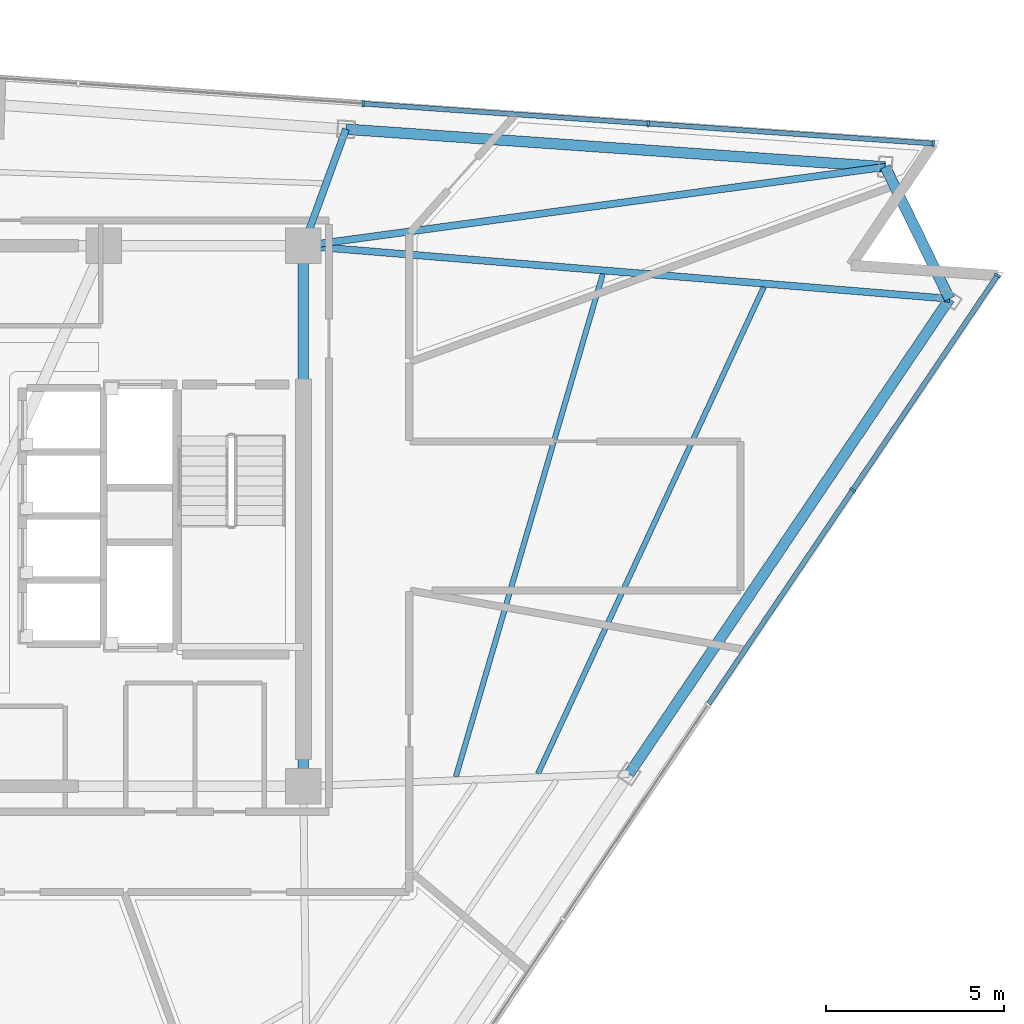
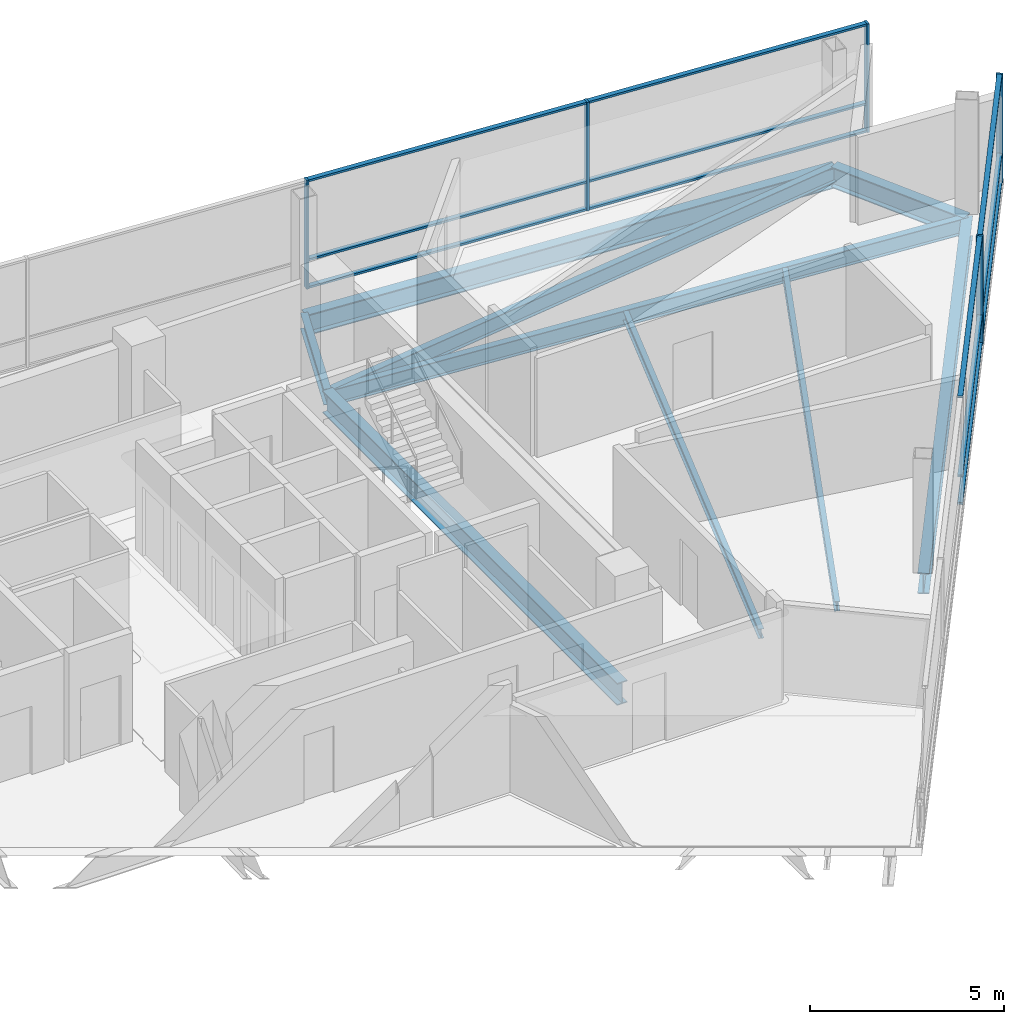
# One storey, part 7 of 14: 17 members, 9 beams, 2 elements without a shape of their own.
"""IFC4 building model written with IfcOpenShell, lengths in metres."""

from ifc_helpers import new_model, si_unit, direction, frame, origin, origin_2d, place, context, subcontext, project, spatial, rectangle, i_section, extrude, material, layer, layer_set, material_profile, profile_set, type_object, element, aggregate, save


model = new_model("IFC4")

# Units and contexts
model_context = context("Model", 3, precision=1e-05, world=origin(), true_north=direction((0.0, 1.0)))
body_context = subcontext(model_context, "Body", "Model", "MODEL_VIEW")
ifc_project = project(units=[si_unit("LENGTHUNIT", "METRE"), si_unit("AREAUNIT", "SQUARE_METRE"), si_unit("VOLUMEUNIT", "CUBIC_METRE"), si_unit("PLANEANGLEUNIT", "RADIAN"), si_unit("MASSUNIT", "GRAM", prefix="KILO")], contexts=[model_context])

# Site, building, storey
site_placement = place(None, origin())
site = spatial("IfcSite", under=ifc_project, at=site_placement, CompositionType="ELEMENT")
building_placement = place(site_placement, origin())
building = spatial("IfcBuilding", under=site, at=building_placement, Name="Tharavind Bronze Gate", CompositionType="ELEMENT")
storey_placement = place(building_placement, frame((0.0, 0.0, 237.85009765625)))
storey = spatial("IfcBuildingStorey", under=building, at=storey_placement, Name="L61", CompositionType="ELEMENT", Elevation=237.85009765625)

# Curtain wall, members
ifc_material_1 = material(Name="Anodised Bronze Aluminium", Category="aluminium")
ifc_layer = layer(ifc_material_1, 0.219970703125)
ifc_layer_set = layer_set([ifc_layer], Name="Anodised Bronze Aluminium")
curtain_wall_type = type_object("IfcCurtainWallType", Name="UNITISED CURTAIN WALL UPPER OFFICE", PredefinedType="USERDEFINED", material=ifc_layer_set)
curtain_wall_1_placement = place(storey_placement, origin())
curtain_wall_1 = element("IfcCurtainWall", 1, at=curtain_wall_1_placement, inside=storey, type_object=curtain_wall_type, Name="L61 unitised curtain wall upper office CW-L61-S2", ObjectType="UNITISED CURTAIN WALL", PredefinedType="USERDEFINED")
member_type_1 = type_object("IfcMemberType", Name="CURTAIN WALL BRONZE MULLION 65X180", PredefinedType="MULLION", material=ifc_material_1)
member_1_placement = place(storey_placement, frame((24.35791015625, 0.732177734375, 0.0), z_axis=(0.0, 0.0, 1.0), x_axis=(0.559192903471, 0.829037572555, 0.0)))
member_1 = element("IfcMember", 2, at=member_1_placement, type_object=member_type_1, Name="CW-L61-S2 mullion 7", PredefinedType="MULLION", context=body_context, shape_type="SweptSolid", body=[
    extrude(rectangle(XDim=0.06494140625, YDim=0.179931640625, at=origin_2d()), origin(), (0.0, 0.0, 1.0), 3.419921875),
])
member_2_placement = place(storey_placement, frame((28.430419921875, 6.77001953125, 0.0), z_axis=(0.0, 0.0, 1.0), x_axis=(0.559192903471, 0.829037572555, 0.0)))
member_2 = element("IfcMember", 3, at=member_2_placement, type_object=member_type_1, Name="CW-L61-S2 mullion 8", PredefinedType="MULLION", context=body_context, shape_type="SweptSolid", body=[
    extrude(rectangle(XDim=0.06494140625, YDim=0.179931640625, at=origin_2d()), origin(), (0.0, 0.0, 1.0), 3.419921875),
])

curtain_wall_2_placement = place(storey_placement, origin())
curtain_wall_2 = element("IfcCurtainWall", 4, at=curtain_wall_2_placement, inside=storey, type_object=curtain_wall_type, Name="L61 unitised curtain wall upper office CW-L61-S3", ObjectType="UNITISED CURTAIN WALL", PredefinedType="USERDEFINED")
member_3_placement = place(storey_placement, frame((26.620849609375, 10.480224609375, 0.0), z_axis=(0.0, 0.0, 1.0), x_axis=(-0.99756392851, 0.069758214822, 0.0)))
member_3 = element("IfcMember", 5, at=member_3_placement, type_object=member_type_1, Name="CW-L61-S3 mullion 1", PredefinedType="MULLION", context=body_context, shape_type="SweptSolid", body=[
    extrude(rectangle(XDim=0.06494140625, YDim=0.179931640625, at=origin_2d()), origin(), (0.0, 0.0, 1.0), 3.419921875),
])
member_4_placement = place(storey_placement, frame((18.602294921875, 11.041015625, 0.0), z_axis=(0.0, 0.0, 1.0), x_axis=(-0.99756392851, 0.069758214822, 0.0)))
member_4 = element("IfcMember", 6, at=member_4_placement, type_object=member_type_1, Name="CW-L61-S3 mullion 2", PredefinedType="MULLION", context=body_context, shape_type="SweptSolid", body=[
    extrude(rectangle(XDim=0.06494140625, YDim=0.179931640625, at=origin_2d()), origin(), (0.0, 0.0, 1.0), 3.419921875),
])
member_5_placement = place(storey_placement, frame((10.583984375, 11.6015625, 0.0), z_axis=(0.0, 0.0, 1.0), x_axis=(-0.99756392851, 0.069758214822, 0.0)))
member_5 = element("IfcMember", 7, at=member_5_placement, type_object=member_type_1, Name="CW-L61-S3 mullion 3", PredefinedType="MULLION", context=body_context, shape_type="SweptSolid", body=[
    extrude(rectangle(XDim=0.06494140625, YDim=0.179931640625, at=origin_2d()), origin(), (0.0, 0.0, 1.0), 3.419921875),
])

# Member
member_type_2 = type_object("IfcMemberType", Name="CURTAIN WALL BRONZE TRANSOM 65X140", PredefinedType="USERDEFINED", material=ifc_material_1)
member_6_placement = place(storey_placement, frame((22.321533203125, -2.28662109375, 0.0), z_axis=(0.0, 0.0, 1.0), x_axis=(0.559192903471, 0.829037572555, 0.0)))
member_6 = element("IfcMember", 8, at=member_6_placement, type_object=member_type_2, Name="CW-L61-S2 transom TB6", ObjectType="TRANSOM", PredefinedType="USERDEFINED", context=body_context, shape_type="SweptSolid", body=[
    extrude(rectangle(XDim=7.22998046875, YDim=0.139892578125, at=origin_2d()), origin(), (0.0, 0.0, 1.0), 0.06494140625),
])

member_7_placement = place(storey_placement, frame((22.321533203125, -2.28662109375, 0.867431640625), z_axis=(0.0, 0.0, 1.0), x_axis=(0.559192903471, 0.829037572555, 0.0)))
member_7 = element("IfcMember", 9, at=member_7_placement, type_object=member_type_2, Name="CW-L61-S2 transom TS6", ObjectType="TRANSOM", PredefinedType="USERDEFINED", context=body_context, shape_type="SweptSolid", body=[
    extrude(rectangle(XDim=7.22998046875, YDim=0.139892578125, at=origin_2d()), origin(), (0.0, 0.0, 1.0), 0.06494140625),
])

member_8_placement = place(storey_placement, frame((22.321533203125, -2.28662109375, 3.35498046875), z_axis=(0.0, 0.0, 1.0), x_axis=(0.559192903471, 0.829037572555, 0.0)))
member_8 = element("IfcMember", 10, at=member_8_placement, type_object=member_type_2, Name="CW-L61-S2 transom TT6", ObjectType="TRANSOM", PredefinedType="USERDEFINED", context=body_context, shape_type="SweptSolid", body=[
    extrude(rectangle(XDim=7.22998046875, YDim=0.139892578125, at=origin_2d()), origin(), (0.0, 0.0, 1.0), 0.06494140625),
])

member_9_placement = place(storey_placement, frame((26.39404296875, 3.751220703125, 0.0), z_axis=(0.0, 0.0, 1.0), x_axis=(0.559192903471, 0.829037572555, 0.0)))
member_9 = element("IfcMember", 11, at=member_9_placement, type_object=member_type_2, Name="CW-L61-S2 transom TB7", ObjectType="TRANSOM", PredefinedType="USERDEFINED", context=body_context, shape_type="SweptSolid", body=[
    extrude(rectangle(XDim=7.22998046875, YDim=0.139892578125, at=origin_2d()), origin(), (0.0, 0.0, 1.0), 0.06494140625),
])

member_10_placement = place(storey_placement, frame((26.39404296875, 3.751220703125, 0.867431640625), z_axis=(0.0, 0.0, 1.0), x_axis=(0.559192903471, 0.829037572555, 0.0)))
member_10 = element("IfcMember", 12, at=member_10_placement, type_object=member_type_2, Name="CW-L61-S2 transom TS7", ObjectType="TRANSOM", PredefinedType="USERDEFINED", context=body_context, shape_type="SweptSolid", body=[
    extrude(rectangle(XDim=7.22998046875, YDim=0.139892578125, at=origin_2d()), origin(), (0.0, 0.0, 1.0), 0.06494140625),
])

member_11_placement = place(storey_placement, frame((26.39404296875, 3.751220703125, 3.35498046875), z_axis=(0.0, 0.0, 1.0), x_axis=(0.559192903471, 0.829037572555, 0.0)))
member_11 = element("IfcMember", 13, at=member_11_placement, type_object=member_type_2, Name="CW-L61-S2 transom TT7", ObjectType="TRANSOM", PredefinedType="USERDEFINED", context=body_context, shape_type="SweptSolid", body=[
    extrude(rectangle(XDim=7.22998046875, YDim=0.139892578125, at=origin_2d()), origin(), (0.0, 0.0, 1.0), 0.06494140625),
])

aggregate(curtain_wall_1, [member_1, member_2, member_6, member_7, member_8, member_9, member_10, member_11])

member_12_placement = place(storey_placement, frame((22.611572265625, 10.760498046875, 0.0), z_axis=(0.0, 0.0, 1.0), x_axis=(-0.99756392851, 0.069758214822, 0.0)))
member_12 = element("IfcMember", 14, at=member_12_placement, type_object=member_type_2, Name="CW-L61-S3 transom TB1", ObjectType="TRANSOM", PredefinedType="USERDEFINED", context=body_context, shape_type="SweptSolid", body=[
    extrude(rectangle(XDim=7.985107421875, YDim=0.139892578125, at=origin_2d()), origin(), (0.0, 0.0, 1.0), 0.06494140625),
])

member_13_placement = place(storey_placement, frame((22.611572265625, 10.760498046875, 0.867431640625), z_axis=(0.0, 0.0, 1.0), x_axis=(-0.99756392851, 0.069758214822, 0.0)))
member_13 = element("IfcMember", 15, at=member_13_placement, type_object=member_type_2, Name="CW-L61-S3 transom TS1", ObjectType="TRANSOM", PredefinedType="USERDEFINED", context=body_context, shape_type="SweptSolid", body=[
    extrude(rectangle(XDim=7.985107421875, YDim=0.139892578125, at=origin_2d()), origin(), (0.0, 0.0, 1.0), 0.06494140625),
])

member_14_placement = place(storey_placement, frame((22.611572265625, 10.760498046875, 3.35498046875), z_axis=(0.0, 0.0, 1.0), x_axis=(-0.99756392851, 0.069758214822, 0.0)))
member_14 = element("IfcMember", 16, at=member_14_placement, type_object=member_type_2, Name="CW-L61-S3 transom TT1", ObjectType="TRANSOM", PredefinedType="USERDEFINED", context=body_context, shape_type="SweptSolid", body=[
    extrude(rectangle(XDim=7.985107421875, YDim=0.139892578125, at=origin_2d()), origin(), (0.0, 0.0, 1.0), 0.06494140625),
])

member_15_placement = place(storey_placement, frame((14.593017578125, 11.3212890625, 0.0), z_axis=(0.0, 0.0, 1.0), x_axis=(-0.99756392851, 0.069758214822, 0.0)))
member_15 = element("IfcMember", 17, at=member_15_placement, type_object=member_type_2, Name="CW-L61-S3 transom TB2", ObjectType="TRANSOM", PredefinedType="USERDEFINED", context=body_context, shape_type="SweptSolid", body=[
    extrude(rectangle(XDim=7.985107421875, YDim=0.139892578125, at=origin_2d()), origin(), (0.0, 0.0, 1.0), 0.06494140625),
])

member_16_placement = place(storey_placement, frame((14.593017578125, 11.3212890625, 0.867431640625), z_axis=(0.0, 0.0, 1.0), x_axis=(-0.99756392851, 0.069758214822, 0.0)))
member_16 = element("IfcMember", 18, at=member_16_placement, type_object=member_type_2, Name="CW-L61-S3 transom TS2", ObjectType="TRANSOM", PredefinedType="USERDEFINED", context=body_context, shape_type="SweptSolid", body=[
    extrude(rectangle(XDim=7.985107421875, YDim=0.139892578125, at=origin_2d()), origin(), (0.0, 0.0, 1.0), 0.06494140625),
])

member_17_placement = place(storey_placement, frame((14.593017578125, 11.3212890625, 3.35498046875), z_axis=(0.0, 0.0, 1.0), x_axis=(-0.99756392851, 0.069758214822, 0.0)))
member_17 = element("IfcMember", 19, at=member_17_placement, type_object=member_type_2, Name="CW-L61-S3 transom TT2", ObjectType="TRANSOM", PredefinedType="USERDEFINED", context=body_context, shape_type="SweptSolid", body=[
    extrude(rectangle(XDim=7.985107421875, YDim=0.139892578125, at=origin_2d()), origin(), (0.0, 0.0, 1.0), 0.06494140625),
])

aggregate(curtain_wall_2, [member_3, member_4, member_5, member_12, member_13, member_14, member_15, member_16, member_17])

# Beams
ifc_material_2 = material(Name="Steel S355", Category="steel")
ifc_material_profile_1 = material_profile(ifc_material_2, i_section(OverallWidth=0.300048828125, OverallDepth=0.64990234375, WebThickness=0.01611328125, FlangeThickness=0.031005859375, at=origin_2d()), Name="HE650B")
ifc_profile_set_1 = profile_set([ifc_material_profile_1], Name="Steel S355")
beam_type_1 = type_object("IfcBeamType", Name="PRIMARY GIRDER HE650B", PredefinedType="USERDEFINED", material=ifc_profile_set_1)
beam_1_placement = place(storey_placement, frame((18.06396484375, -7.2578125, -0.505126953125), z_axis=(0.559188128577, 0.829040793241, 0.0), x_axis=(-0.829040793241, 0.559188128577, 0.0)))
element("IfcBeam", 20, at=beam_1_placement, inside=storey, type_object=beam_type_1, Name="L61 primary girder he650b BM-L61-PRG07", ObjectType="GIRDER", PredefinedType="USERDEFINED", context=body_context, shape_type="SweptSolid", body=[
    extrude(i_section(OverallWidth=0.300048828125, OverallDepth=0.64990234375, WebThickness=0.01611328125, FlangeThickness=0.031005859375, at=origin_2d()), origin(), (0.0, 0.0, 1.0), 16.12744140625),
])
beam_2_placement = place(storey_placement, frame((27.082275390625, 6.112548828125, -0.505126953125), z_axis=(-0.438367699713, 0.898795727542, 0.0), x_axis=(-0.898795727542, -0.438367699713, 0.0)))
element("IfcBeam", 21, at=beam_2_placement, inside=storey, type_object=beam_type_1, Name="L61 primary girder he650b BM-L61-PRG08", ObjectType="GIRDER", PredefinedType="USERDEFINED", context=body_context, shape_type="SweptSolid", body=[
    extrude(i_section(OverallWidth=0.300048828125, OverallDepth=0.64990234375, WebThickness=0.01611328125, FlangeThickness=0.031005859375, at=origin_2d()), origin(), (0.0, 0.0, 1.0), 4.1279296875),
])
beam_3_placement = place(storey_placement, frame((25.272705078125, 9.82275390625, -0.505126953125), z_axis=(-0.997563917828, 0.069758367582, 0.0), x_axis=(-0.069758367582, -0.997563917828, 0.0)))
element("IfcBeam", 22, at=beam_3_placement, inside=storey, type_object=beam_type_1, Name="L61 primary girder he650b BM-L61-PRG09", ObjectType="GIRDER", PredefinedType="USERDEFINED", context=body_context, shape_type="SweptSolid", body=[
    extrude(i_section(OverallWidth=0.300048828125, OverallDepth=0.64990234375, WebThickness=0.01611328125, FlangeThickness=0.031005859375, at=origin_2d()), origin(), (0.0, 0.0, 1.0), 15.210205078125),
])
ifc_material_profile_2 = material_profile(ifc_material_2, i_section(OverallWidth=0.199951171875, OverallDepth=0.5, WebThickness=0.01025390625, FlangeThickness=0.01611328125, at=origin_2d()), Name="IPE500")
ifc_profile_set_2 = profile_set([ifc_material_profile_2], Name="Steel S355")
beam_type_2 = type_object("IfcBeamType", Name="PRIMARY GIRDER IPE500", PredefinedType="USERDEFINED", material=ifc_profile_set_2)
beam_4_placement = place(storey_placement, frame((27.082275390625, 6.112548828125, -0.43017578125), z_axis=(-0.996670048992, 0.081540256576, 0.0), x_axis=(-0.081540256576, -0.996670048992, 0.0)))
element("IfcBeam", 23, at=beam_4_placement, inside=storey, type_object=beam_type_2, Name="L61 primary girder ipe500 BM-L61-RAD08", ObjectType="GIRDER", PredefinedType="USERDEFINED", context=body_context, shape_type="SweptSolid", body=[
    extrude(i_section(OverallWidth=0.199951171875, OverallDepth=0.5, WebThickness=0.01025390625, FlangeThickness=0.01611328125, at=origin_2d()), origin(), (0.0, 0.0, 1.0), 18.2431640625),
])
beam_5_placement = place(storey_placement, frame((25.272705078125, 9.82275390625, -0.43017578125), z_axis=(-0.990911002209, -0.134519090469, 0.0), x_axis=(0.134519090469, -0.990911002209, 0.0)))
element("IfcBeam", 24, at=beam_5_placement, inside=storey, type_object=beam_type_2, Name="L61 primary girder ipe500 BM-L61-RAD09", ObjectType="GIRDER", PredefinedType="USERDEFINED", context=body_context, shape_type="SweptSolid", body=[
    extrude(i_section(OverallWidth=0.199951171875, OverallDepth=0.5, WebThickness=0.01025390625, FlangeThickness=0.01611328125, at=origin_2d()), origin(), (0.0, 0.0, 1.0), 16.52294921875),
])
beam_6_placement = place(storey_placement, frame((10.099609375, 10.8837890625, -0.43017578125), z_axis=(-0.343166887309, -0.939274447355, 0.0), x_axis=(0.939274447355, -0.343166887309, 0.0)))
element("IfcBeam", 25, at=beam_6_placement, inside=storey, type_object=beam_type_2, Name="L61 primary girder ipe500 BM-L61-RAD10", ObjectType="GIRDER", PredefinedType="USERDEFINED", context=body_context, shape_type="SweptSolid", body=[
    extrude(i_section(OverallWidth=0.199951171875, OverallDepth=0.5, WebThickness=0.01025390625, FlangeThickness=0.01611328125, at=origin_2d()), origin(), (0.0, 0.0, 1.0), 3.49609375),
])
ifc_material_profile_3 = material_profile(ifc_material_2, i_section(OverallWidth=0.300048828125, OverallDepth=0.699951171875, WebThickness=0.01708984375, FlangeThickness=0.031982421875, at=origin_2d()), Name="HE700B")
ifc_profile_set_3 = profile_set([ifc_material_profile_3], Name="Steel S355")
beam_type_3 = type_object("IfcBeamType", Name="RING GIRDER HE700B", PredefinedType="USERDEFINED", material=ifc_profile_set_3)
beam_7_placement = place(storey_placement, frame((8.89990234375, -7.60009765625, -0.530029296875), z_axis=(0.0, 1.0, 0.0), x_axis=(-1.0, 0.0, 0.0)))
element("IfcBeam", 26, at=beam_7_placement, inside=storey, type_object=beam_type_3, Name="L61 ring girder he700b BM-L61-CR3", ObjectType="GIRDER", PredefinedType="USERDEFINED", context=body_context, shape_type="SweptSolid", body=[
    extrude(i_section(OverallWidth=0.300048828125, OverallDepth=0.699951171875, WebThickness=0.01708984375, FlangeThickness=0.031982421875, at=origin_2d()), origin(), (0.0, 0.0, 1.0), 15.2001953125),
])
ifc_material_profile_4 = material_profile(ifc_material_2, i_section(OverallWidth=0.14990234375, OverallDepth=0.300048828125, WebThickness=0.007080078125, FlangeThickness=0.0107421875, at=origin_2d()), Name="IPE300")
ifc_profile_set_4 = profile_set([ifc_material_profile_4], Name="Steel S355")
beam_type_4 = type_object("IfcBeamType", Name="SECONDARY FLOOR JOIST IPE300", PredefinedType="JOIST", material=ifc_profile_set_4)
beam_8_placement = place(storey_placement, frame((13.19189453125, -7.335693359375, -0.330078125), z_axis=(0.280517905759, 0.959848792544, 0.0), x_axis=(-0.959848792544, 0.280517905759, 0.0)))
element("IfcBeam", 27, at=beam_8_placement, inside=storey, type_object=beam_type_4, Name="L61 secondary floor joist ipe300 BM-L61-JSTA07", PredefinedType="JOIST", context=body_context, shape_type="SweptSolid", body=[
    extrude(i_section(OverallWidth=0.14990234375, OverallDepth=0.300048828125, WebThickness=0.007080078125, FlangeThickness=0.0107421875, at=origin_2d()), origin(), (0.0, 0.0, 1.0), 14.733642578125),
])
beam_9_placement = place(storey_placement, frame((15.501220703125, -7.249755859375, -0.330078125), z_axis=(0.42102525581, 0.907048914872, 0.0), x_axis=(-0.907048914872, 0.42102525581, 0.0)))
element("IfcBeam", 28, at=beam_9_placement, inside=storey, type_object=beam_type_4, Name="L61 secondary floor joist ipe300 BM-L61-JSTB07", PredefinedType="JOIST", context=body_context, shape_type="SweptSolid", body=[
    extrude(i_section(OverallWidth=0.14990234375, OverallDepth=0.300048828125, WebThickness=0.007080078125, FlangeThickness=0.0107421875, at=origin_2d()), origin(), (0.0, 0.0, 1.0), 15.08837890625),
])

save(model, "model.ifc")
